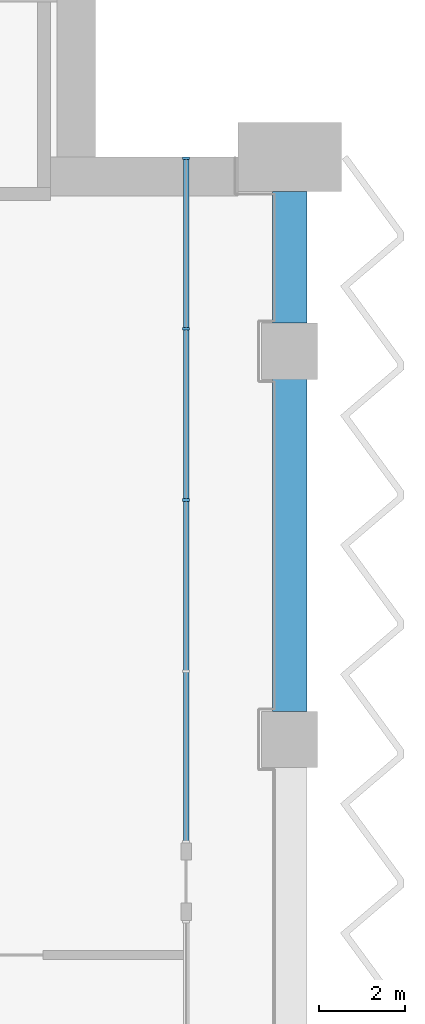
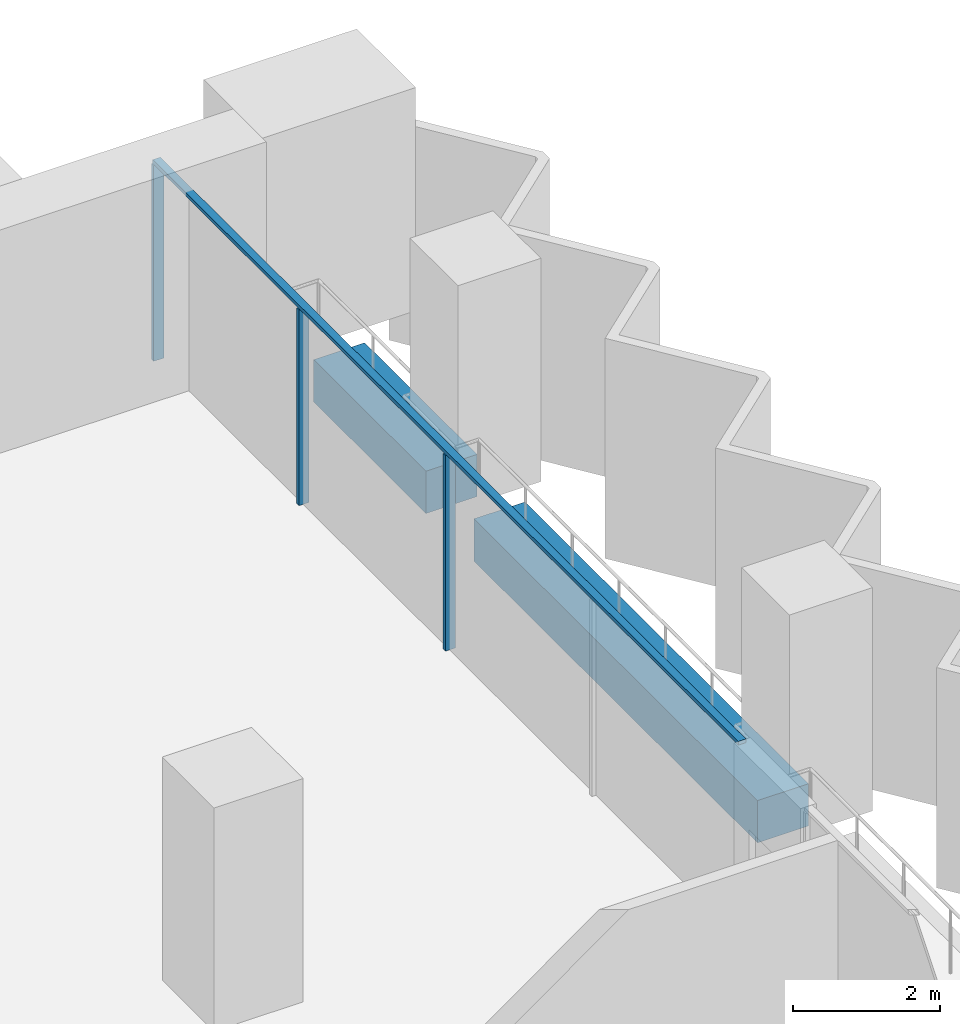
# One storey, part 7 of 29: 4 members, 2 beams, 1 element without a shape of its own.
"""IFC4 building model written with IfcOpenShell, lengths in metres."""

from ifc_helpers import new_model, si_unit, direction, frame, origin, origin_2d, place, context, subcontext, project, spatial, rectangle, extrude, material, material_profile, profile_set, type_object, element, aggregate, save


model = new_model("IFC4")

# Units and contexts
model_context = context("Model", 3, precision=1e-05, world=origin(), true_north=direction((0.0, 1.0)))
body_context = subcontext(model_context, "Body", "Model", "MODEL_VIEW")
ifc_project = project(units=[si_unit("LENGTHUNIT", "METRE"), si_unit("AREAUNIT", "SQUARE_METRE"), si_unit("VOLUMEUNIT", "CUBIC_METRE"), si_unit("PLANEANGLEUNIT", "RADIAN"), si_unit("MASSUNIT", "GRAM", prefix="KILO")], contexts=[model_context])

# Site, building, storey
site_placement = place(None, origin())
site = spatial("IfcSite", under=ifc_project, at=site_placement, CompositionType="ELEMENT")
building_placement = place(site_placement, origin())
building = spatial("IfcBuilding", under=site, at=building_placement, Name="Hunhe Ridgeline Campus", CompositionType="ELEMENT")
storey_placement = place(building_placement, frame((0.0, 0.0, 54.300048828125)))
storey = spatial("IfcBuildingStorey", under=building, at=storey_placement, Name="L12", CompositionType="ELEMENT", Elevation=54.300048828125)

# Curtain wall, members
ifc_material_1 = material(Name="Aluminium 6063", Category="aluminium")
curtain_wall_type = type_object("IfcCurtainWallType", Name="Curtain wall CW-1", PredefinedType="NOTDEFINED", material=ifc_material_1)
curtain_wall_placement = place(storey_placement, origin())
curtain_wall = element("IfcCurtainWall", 1, at=curtain_wall_placement, inside=storey, type_object=curtain_wall_type, Name="Curtain wall 15", PredefinedType="NOTDEFINED")
ifc_material_profile_1 = material_profile(ifc_material_1, rectangle(XDim=0.159912109375, YDim=0.06005859375, at=origin_2d()))
ifc_profile_set_1 = profile_set([ifc_material_profile_1], Name="Aluminium 6063")
member_type_1 = type_object("IfcMemberType", Name="CW-1 aluminium mullion", PredefinedType="MULLION", material=ifc_profile_set_1)
member_1_placement = place(storey_placement, frame((96.59912109375, 86.55029296875, 0.0), z_axis=(0.0, 0.0, 1.0), x_axis=(-1.0, 0.0, 0.0)))
member_1 = element("IfcMember", 2, at=member_1_placement, type_object=member_type_1, Name="CW-1 mullion 3", PredefinedType="MULLION", context=body_context, shape_type="SweptSolid", body=[
    extrude(rectangle(XDim=0.159912109375, YDim=0.06005859375, at=origin_2d()), origin(), (0.0, 0.0, 1.0), 3.239990234375),
])
member_2_placement = place(storey_placement, frame((96.59912109375, 90.525146484375, 0.0), z_axis=(0.0, 0.0, 1.0), x_axis=(-1.0, 0.0, 0.0)))
member_2 = element("IfcMember", 3, at=member_2_placement, type_object=member_type_1, Name="CW-1 mullion 4", PredefinedType="MULLION", context=body_context, shape_type="SweptSolid", body=[
    extrude(rectangle(XDim=0.159912109375, YDim=0.06005859375, at=origin_2d()), origin(), (0.0, 0.0, 1.0), 3.239990234375),
])
member_3_placement = place(storey_placement, frame((96.59912109375, 94.469970703125, 0.0), z_axis=(0.0, 0.0, 1.0), x_axis=(-1.0, 0.0, 0.0)))
member_3 = element("IfcMember", 4, at=member_3_placement, type_object=member_type_1, Name="CW-1 mullion 5", PredefinedType="MULLION", context=body_context, shape_type="SweptSolid", body=[
    extrude(rectangle(XDim=0.159912109375, YDim=0.06005859375, at=origin_2d()), origin(), (0.0, 0.0, 1.0), 3.239990234375),
])
ifc_material_profile_2 = material_profile(ifc_material_1, rectangle(XDim=0.1201171875, YDim=0.06005859375, at=origin_2d()))
ifc_profile_set_2 = profile_set([ifc_material_profile_2], Name="Aluminium 6063")
member_type_2 = type_object("IfcMemberType", Name="CW-1 aluminium transom", PredefinedType="USERDEFINED", material=ifc_profile_set_2)
member_4_placement = place(storey_placement, frame((96.59912109375, 78.6005859375, 3.27001953125), z_axis=(0.0, 1.0, 0.0), x_axis=(-1.0, 0.0, 0.0)))
member_4 = element("IfcMember", 5, at=member_4_placement, type_object=member_type_2, Name="CW-1 transom 1", ObjectType="TRANSOM", PredefinedType="USERDEFINED", context=body_context, shape_type="SweptSolid", body=[
    extrude(rectangle(XDim=0.1201171875, YDim=0.06005859375, at=origin_2d()), origin(), (0.0, 0.0, 1.0), 15.8994140625),
])
aggregate(curtain_wall, [member_4, member_1, member_2, member_3])

# Beams
ifc_material_2 = material(Name="Concrete C60", Category="concrete")
ifc_material_profile_3 = material_profile(ifc_material_2, rectangle(XDim=0.800048828125, YDim=0.699951171875, at=origin_2d()))
ifc_profile_set_3 = profile_set([ifc_material_profile_3], Name="Concrete C60")
beam_type = type_object("IfcBeamType", Name="RC spandrel beam 800x700 Concrete C60", PredefinedType="SPANDREL", material=ifc_profile_set_3)
beam_1_placement = place(storey_placement, frame((99.0, 81.64990234375, -0.60009765625), z_axis=(0.0, 1.0, 0.0), x_axis=(-1.0, 0.0, 0.0)))
element("IfcBeam", 6, at=beam_1_placement, inside=storey, type_object=beam_type, Name="Spandrel beam B1-23 L12", PredefinedType="SPANDREL", context=body_context, shape_type="SweptSolid", body=[
    extrude(rectangle(XDim=0.800048828125, YDim=0.699951171875, at=origin_2d()), origin(), (0.0, 0.0, 1.0), 7.7001953125),
])
beam_2_placement = place(storey_placement, frame((99.0, 90.64990234375, -0.60009765625), z_axis=(0.0, 1.0, 0.0), x_axis=(-1.0, 0.0, 0.0)))
element("IfcBeam", 7, at=beam_2_placement, inside=storey, type_object=beam_type, Name="Spandrel beam B1-24 L12", PredefinedType="SPANDREL", context=body_context, shape_type="SweptSolid", body=[
    extrude(rectangle(XDim=0.800048828125, YDim=0.699951171875, at=origin_2d()), origin(), (0.0, 0.0, 1.0), 3.050048828125),
])

save(model, "model.ifc")
